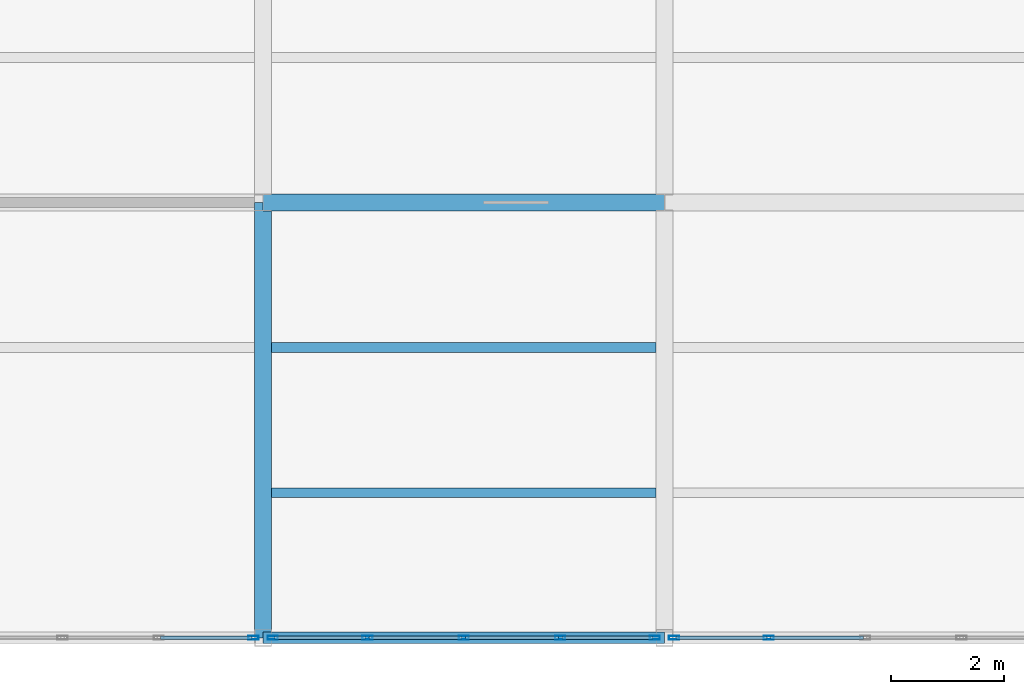
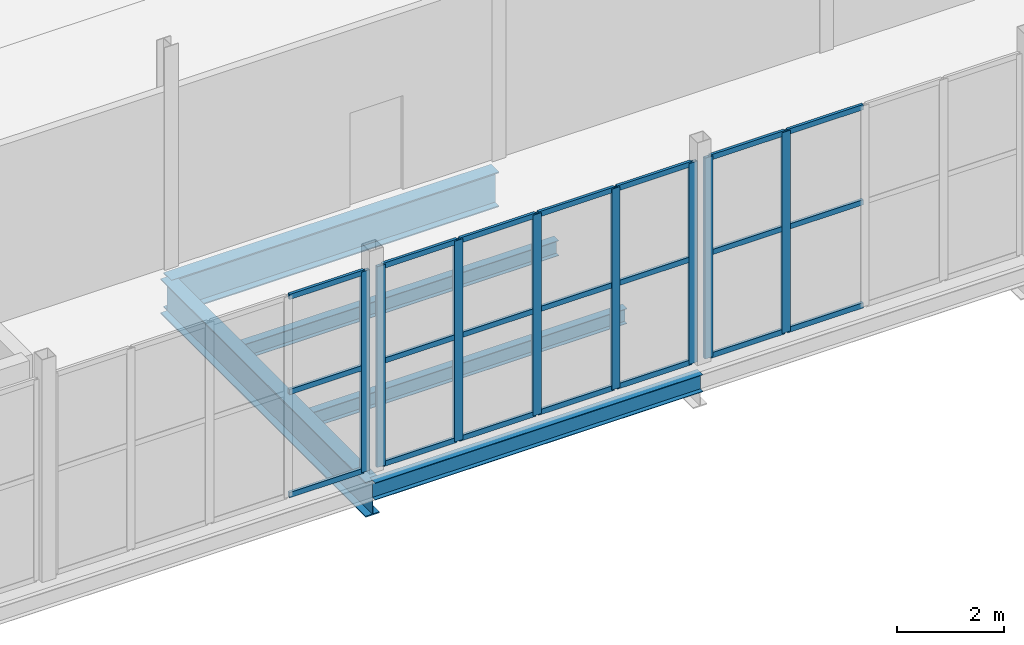
# One storey, part 116 of 218: 29 members, 5 beams, 3 elements without a shape of their own.
"""IFC4 building model written with IfcOpenShell, lengths in metres."""

import ifcopenshell
import ifcopenshell.guid

model = None  # the IFC model being written
_history = None  # IfcOwnerHistory: only IFC2X3 demands one
_inside = {}  # id of a spatial element -> (the spatial element, [elements in it])
_under = {}  # id of a project, library or spatial element -> (it, [spatial elements below it])
_declared = {}  # id of a project -> (the project, [libraries it declares])
_typed = {}  # id of a type object -> (the type object, [elements of that type])
_made_of = {}  # id of a material, layer set ... -> (it, [elements and type objects made of it])


def new_model(schema):
    """Start an empty IFC model of exactly this schema.

    Asked for "IFC4X3", IfcOpenShell would pick the latest addendum, in which some entities
    have other attributes; the version numbers below select the first issue.
    IFC2X3 requires an IfcOwnerHistory on every rooted entity: one is made here for all.
    """
    global model, _history
    if schema == "IFC4X3":
        model = ifcopenshell.file(schema_version=(4, 3, 0, 0))
    else:
        model = ifcopenshell.file(schema=schema)
    _inside.clear()
    _under.clear()
    _declared.clear()
    _typed.clear()
    _made_of.clear()
    _history = None
    if model.schema == "IFC2X3":
        org = make("IfcOrganization", Name="unknown")
        user = make(
            "IfcPersonAndOrganization",
            ThePerson=make("IfcPerson", FamilyName="unknown"),
            TheOrganization=org,
        )
        app = make(
            "IfcApplication",
            ApplicationDeveloper=org,
            Version="unknown",
            ApplicationFullName="unknown",
            ApplicationIdentifier="unknown",
        )
        _history = make(
            "IfcOwnerHistory",
            OwningUser=user,
            OwningApplication=app,
            ChangeAction="ADDED",
            CreationDate=0,
        )
    return model


def make(cls, **values):
    """One entity of the class cls with the attributes given. An attribute that is None is left unset."""
    return model.create_entity(
        cls, **{name: value for name, value in values.items() if value is not None}
    )


def rooted(cls, **values):
    """An entity with a GlobalId (a new one), such as an element, a storey or a relation."""
    return make(cls, GlobalId=ifcopenshell.guid.new(), OwnerHistory=_history, **values)


def si_unit(unit_type, name, prefix=None):
    """IfcSIUnit, for example si_unit("LENGTHUNIT", "METRE", prefix="MILLI")."""
    return make("IfcSIUnit", UnitType=unit_type, Prefix=prefix, Name=name)


def assignment(units):
    """IfcUnitAssignment: the units of a project."""
    return None if units is None else make("IfcUnitAssignment", Units=units)


def point(xyz):
    """IfcCartesianPoint."""
    return None if xyz is None else make("IfcCartesianPoint", Coordinates=xyz)


def direction(xyz):
    """IfcDirection."""
    return None if xyz is None else make("IfcDirection", DirectionRatios=xyz)


def frame(location, z_axis=None, x_axis=None):
    """IfcAxis2Placement3D, a coordinate frame: its origin and axes. An axis left out is left unset."""
    return make(
        "IfcAxis2Placement3D",
        Location=point(location),
        Axis=direction(z_axis),
        RefDirection=direction(x_axis),
    )


def frame_2d(location, x_axis=None):
    """IfcAxis2Placement2D, a coordinate frame in the plane: its origin and x axis."""
    return make(
        "IfcAxis2Placement2D", Location=point(location), RefDirection=direction(x_axis)
    )


def origin():
    """The frame at (0, 0, 0) with its axes left unset."""
    return frame((0.0, 0.0, 0.0))


def origin_2d():
    """The frame at (0, 0) in the plane with its x axis left unset."""
    return frame_2d((0.0, 0.0))


def place(relative_to, where):
    """IfcLocalPlacement: puts the frame where relative to a parent placement (None: the world)."""
    return make(
        "IfcLocalPlacement", PlacementRelTo=relative_to, RelativePlacement=where
    )


def context(
    kind, dimensions, precision=None, world=None, true_north=None, identifier=None
):
    """IfcGeometricRepresentationContext, for example the 3D "Model" context."""
    return make(
        "IfcGeometricRepresentationContext",
        ContextIdentifier=identifier,
        ContextType=kind,
        CoordinateSpaceDimension=dimensions,
        Precision=precision,
        WorldCoordinateSystem=world,
        TrueNorth=true_north,
    )


def subcontext(parent, identifier, kind, view, scale=None):
    """IfcGeometricRepresentationSubContext, for example "Body" below "Model"."""
    return make(
        "IfcGeometricRepresentationSubContext",
        ContextIdentifier=identifier,
        ContextType=kind,
        ParentContext=parent,
        TargetScale=scale,
        TargetView=view,
    )


def project(units=None, contexts=None):
    """IfcProject with its units and contexts."""
    return rooted(
        "IfcProject",
        Name="project",
        RepresentationContexts=contexts,
        UnitsInContext=assignment(units),
    )


def spatial(cls, under=None, at=None, **own):
    """A site, building, storey or space (cls), placed at a placement, below another one or the project."""
    s = rooted(cls, ObjectPlacement=at, **own)
    if under is not None:
        _under.setdefault(under.id(), (under, []))[1].append(s)
    return s


def profile(cls, at=None, kind="AREA", **sizes):
    """A parametric profile (cls). Its sizes go by their IFC names, for example OverallWidth=200.0."""
    return make(cls, ProfileType=kind, Position=at, **sizes)


def hollow_rectangle(**sizes):
    """IfcRectangleHollowProfileDef."""
    return profile("IfcRectangleHollowProfileDef", **sizes)


def i_section(**sizes):
    """IfcIShapeProfileDef."""
    return profile("IfcIShapeProfileDef", **sizes)


def extrude(swept, where, along, depth):
    """IfcExtrudedAreaSolid: the profile swept, set in the frame where, extruded along a direction by depth."""
    return make(
        "IfcExtrudedAreaSolid",
        SweptArea=swept,
        Position=where,
        ExtrudedDirection=direction(along),
        Depth=depth,
    )


def shape(context_of_items, identifier, shape_type, items):
    """IfcShapeRepresentation: the items that make up one representation, for example the "Body"."""
    return make(
        "IfcShapeRepresentation",
        ContextOfItems=context_of_items,
        RepresentationIdentifier=identifier,
        RepresentationType=shape_type,
        Items=items,
    )


def material(Name=None, Category=None):
    """IfcMaterial."""
    return make("IfcMaterial", Name=Name, Category=Category)


def material_profile(
    of_material, cross_section, Name=None, Category=None, Priority=None
):
    """IfcMaterialProfile: a cross section and its material."""
    return make(
        "IfcMaterialProfile",
        Name=Name,
        Material=of_material,
        Profile=cross_section,
        Priority=Priority,
        Category=Category,
    )


def profile_set(profiles, Name=None, composite=None):
    """IfcMaterialProfileSet."""
    return make(
        "IfcMaterialProfileSet",
        Name=Name,
        MaterialProfiles=profiles,
        CompositeProfile=composite,
    )


def made_of(thing, what):
    """Note that an element or type object is made of a material, layer set ...; save() writes the relation."""
    if what is not None:
        _made_of.setdefault(what.id(), (what, []))[1].append(thing)
    return thing


def type_object(cls, material=None, **own):
    """A type object (cls), such as IfcWallType, which elements share."""
    return made_of(rooted(cls, **own), material)


def element(
    cls,
    number,
    at=None,
    inside=None,
    cuts=None,
    type_object=None,
    material=None,
    context=None,
    identifier="Body",
    shape_type=None,
    held_by="IfcProductDefinitionShape",
    body=None,
    shapes=None,
    **own,
):
    """One element of the class cls, such as IfcWall. Its Tag is "e" and its number.

    at: its placement. inside: the storey or other place that contains it. cuts: it is an
    opening in that element (IfcRelVoidsElement). A single representation is given by context,
    identifier, shape_type and body (its items); several are given by shapes. held_by: the class
    of the entity that holds the representations. save() writes the other relations.
    """
    e = rooted(cls, Tag="e%d" % number, ObjectPlacement=at, **own)
    if body is not None:
        shapes = [shape(context, identifier, shape_type, body)]
    if shapes is not None:
        e.Representation = make(held_by, Representations=shapes)
    if inside is not None:
        _inside.setdefault(inside.id(), (inside, []))[1].append(e)
    if cuts is not None:
        rooted(
            "IfcRelVoidsElement", RelatingBuildingElement=cuts, RelatedOpeningElement=e
        )
    if type_object is not None:
        _typed.setdefault(type_object.id(), (type_object, []))[1].append(e)
    return made_of(e, material)


def aggregate(whole, parts):
    """IfcRelAggregates: a whole, such as a stair, and the parts it consists of."""
    return rooted("IfcRelAggregates", RelatingObject=whole, RelatedObjects=parts)


def save(model, path):
    """Write the relations noted so far, then the file.

    IfcRelAggregates (storeys below a building ...), IfcRelContainedInSpatialStructure (elements
    in a storey), IfcRelDefinesByType, IfcRelAssociatesMaterial and IfcRelDeclares: one each for
    every whole, place, type object, material and project.
    """
    for whole, parts in _under.values():
        aggregate(whole, parts)
    for where, things in _inside.values():
        rooted(
            "IfcRelContainedInSpatialStructure",
            RelatedElements=things,
            RelatingStructure=where,
        )
    for kind, things in _typed.values():
        rooted("IfcRelDefinesByType", RelatedObjects=things, RelatingType=kind)
    for what, things in _made_of.values():
        rooted("IfcRelAssociatesMaterial", RelatedObjects=things, RelatingMaterial=what)
    for by, libraries in _declared.values():
        rooted("IfcRelDeclares", RelatingContext=by, RelatedDefinitions=libraries)
    model.write(path)


model = new_model("IFC4")

# Units and contexts
model_context = context("Model", 3, precision=1e-05, world=origin(), true_north=direction((0.0, 1.0)))
body_context = subcontext(model_context, "Body", "Model", "MODEL_VIEW")
ifc_project = project(units=[si_unit("LENGTHUNIT", "METRE"), si_unit("AREAUNIT", "SQUARE_METRE"), si_unit("VOLUMEUNIT", "CUBIC_METRE"), si_unit("PLANEANGLEUNIT", "RADIAN"), si_unit("MASSUNIT", "GRAM", prefix="KILO")], contexts=[model_context])

# Site, building, storey
site_placement = place(None, origin())
site = spatial("IfcSite", under=ifc_project, at=site_placement, CompositionType="ELEMENT")
building_placement = place(site_placement, origin())
building = spatial("IfcBuilding", under=site, at=building_placement, Name="Kazenagashi Tramway Depot", CompositionType="ELEMENT")
storey_placement = place(building_placement, frame((0.0, 0.0, 6.0)))
storey = spatial("IfcBuildingStorey", under=building, at=storey_placement, Name="L02", CompositionType="ELEMENT", Elevation=6.0)

# Beams
ifc_material_1 = material(Name="Steel SN490B", Category="steel")
ifc_material_profile_1 = material_profile(ifc_material_1, i_section(OverallWidth=0.3, OverallDepth=0.8, WebThickness=0.014, FlangeThickness=0.026, at=origin_2d()), Name="H-800x300x14x26")
ifc_profile_set_1 = profile_set([ifc_material_profile_1], Name="Steel SN490B")
beam_type_1 = type_object("IfcBeamType", Name="G-07", PredefinedType="BEAM", material=ifc_profile_set_1)
beam_1_placement = place(storey_placement, frame((160.5, 7.7, -0.68), z_axis=(1.0, 0.0, 0.0), x_axis=(0.0, 1.0, 0.0)))
element("IfcBeam", 1, at=beam_1_placement, inside=storey, type_object=beam_type_1, Name="Beam G-07 BM-1191", PredefinedType="BEAM", context=body_context, shape_type="SweptSolid", body=[
    extrude(i_section(OverallWidth=0.3, OverallDepth=0.8, WebThickness=0.014, FlangeThickness=0.026, at=origin_2d()), origin(), (0.0, 0.0, 1.0), 7.1),
])
beam_2_placement = place(storey_placement, frame((160.5, 0.0, -0.68), z_axis=(0.0, 1.0, 0.0), x_axis=(-1.0, 0.0, 0.0)))
element("IfcBeam", 2, at=beam_2_placement, inside=storey, type_object=beam_type_1, Name="Beam G-07 BM-1256", PredefinedType="BEAM", context=body_context, shape_type="SweptSolid", body=[
    extrude(i_section(OverallWidth=0.3, OverallDepth=0.8, WebThickness=0.014, FlangeThickness=0.026, at=origin_2d()), origin(), (0.0, 0.0, 1.0), 7.7),
])
ifc_material_2 = material(Name="Steel SN400B", Category="steel")
ifc_material_profile_2 = material_profile(ifc_material_2, i_section(OverallWidth=0.175, OverallDepth=0.35, WebThickness=0.007, FlangeThickness=0.011, at=origin_2d()), Name="H-350x175x7x11")
ifc_profile_set_2 = profile_set([ifc_material_profile_2], Name="Steel SN400B")
beam_type_2 = type_object("IfcBeamType", Name="J-01", PredefinedType="JOIST", material=ifc_profile_set_2)
for number, where, z_axis, x_axis, name in (
    (3, (160.65, 2.567, -0.455), (1.0, 0.0, 0.0), (0.0, 1.0, 0.0), "Beam J-01 BM-1257"),
    (4, (160.65, 5.133, -0.455), (1.0, 0.0, 0.0), (0.0, 1.0, 0.0), "Beam J-01 BM-1258"),
):
    element("IfcBeam", number, at=place(storey_placement, frame(where, z_axis=z_axis, x_axis=x_axis)), inside=storey, type_object=beam_type_2, Name=name, PredefinedType="JOIST", context=body_context, shape_type="SweptSolid", body=[
        extrude(i_section(OverallWidth=0.175, OverallDepth=0.35, WebThickness=0.007, FlangeThickness=0.011, at=origin_2d()), origin(), (0.0, 0.0, 1.0), 6.8),
    ])

# Curtain wall, member
ifc_material_3 = material(Name="Anodised Aluminium and Low-E Glazing", Category="aluminium")
curtain_wall_type = type_object("IfcCurtainWallType", Name="CW-22", PredefinedType="USERDEFINED", material=ifc_material_3)
curtain_wall_1_placement = place(storey_placement, origin())
curtain_wall_1 = element("IfcCurtainWall", 5, at=curtain_wall_1_placement, inside=storey, type_object=curtain_wall_type, Name="Industrial Glazed Screen CW-22 CW-0120", ObjectType="GLAZED SCREEN", PredefinedType="USERDEFINED")
ifc_material_4 = material(Name="Anodised Aluminium", Category="aluminium")
ifc_material_profile_3 = material_profile(ifc_material_4, hollow_rectangle(XDim=0.07, YDim=0.18, WallThickness=0.005, at=origin_2d()), Name="RHS-180x70x5")
ifc_profile_set_3 = profile_set([ifc_material_profile_3], Name="Anodised Aluminium")
member_type_1 = type_object("IfcMemberType", Name="ML-02", PredefinedType="MULLION", material=ifc_profile_set_3)
member_1_placement = place(storey_placement, frame((160.33, 0.0, 0.0), z_axis=(0.0, 0.0, 1.0), x_axis=(0.0, 1.0, 0.0)))
member_1 = element("IfcMember", 6, at=member_1_placement, type_object=member_type_1, Name="CW-22 mullion 5", PredefinedType="MULLION", context=body_context, shape_type="SweptSolid", body=[
    extrude(hollow_rectangle(XDim=0.07, YDim=0.18, WallThickness=0.005, at=origin_2d()), origin(), (0.0, 0.0, 1.0), 4.6),
])

# Curtain wall, members
curtain_wall_2_placement = place(storey_placement, origin())
curtain_wall_2 = element("IfcCurtainWall", 7, at=curtain_wall_2_placement, inside=storey, type_object=curtain_wall_type, Name="Industrial Glazed Screen CW-22 CW-0121", ObjectType="GLAZED SCREEN", PredefinedType="USERDEFINED")
member_2_placement = place(storey_placement, frame((160.67, 0.0, 0.0), z_axis=(0.0, 0.0, 1.0), x_axis=(0.0, 1.0, 0.0)))
member_2 = element("IfcMember", 8, at=member_2_placement, type_object=member_type_1, Name="CW-22 mullion 1", PredefinedType="MULLION", context=body_context, shape_type="SweptSolid", body=[
    extrude(hollow_rectangle(XDim=0.07, YDim=0.18, WallThickness=0.005, at=origin_2d()), origin(), (0.0, 0.0, 1.0), 4.6),
])
member_3_placement = place(storey_placement, frame((162.345, 0.0, 0.0), z_axis=(0.0, 0.0, 1.0), x_axis=(0.0, 1.0, 0.0)))
member_3 = element("IfcMember", 9, at=member_3_placement, type_object=member_type_1, Name="CW-22 mullion 2", PredefinedType="MULLION", context=body_context, shape_type="SweptSolid", body=[
    extrude(hollow_rectangle(XDim=0.07, YDim=0.18, WallThickness=0.005, at=origin_2d()), origin(), (0.0, 0.0, 1.0), 4.6),
])
member_4_placement = place(storey_placement, frame((164.05, 0.0, 0.0), z_axis=(0.0, 0.0, 1.0), x_axis=(0.0, 1.0, 0.0)))
member_4 = element("IfcMember", 10, at=member_4_placement, type_object=member_type_1, Name="CW-22 mullion 3", PredefinedType="MULLION", context=body_context, shape_type="SweptSolid", body=[
    extrude(hollow_rectangle(XDim=0.07, YDim=0.18, WallThickness=0.005, at=origin_2d()), origin(), (0.0, 0.0, 1.0), 4.6),
])
member_5_placement = place(storey_placement, frame((165.755, 0.0, 0.0), z_axis=(0.0, 0.0, 1.0), x_axis=(0.0, 1.0, 0.0)))
member_5 = element("IfcMember", 11, at=member_5_placement, type_object=member_type_1, Name="CW-22 mullion 4", PredefinedType="MULLION", context=body_context, shape_type="SweptSolid", body=[
    extrude(hollow_rectangle(XDim=0.07, YDim=0.18, WallThickness=0.005, at=origin_2d()), origin(), (0.0, 0.0, 1.0), 4.6),
])
member_6_placement = place(storey_placement, frame((167.43, 0.0, 0.0), z_axis=(0.0, 0.0, 1.0), x_axis=(0.0, 1.0, 0.0)))
member_6 = element("IfcMember", 12, at=member_6_placement, type_object=member_type_1, Name="CW-22 mullion 5", PredefinedType="MULLION", context=body_context, shape_type="SweptSolid", body=[
    extrude(hollow_rectangle(XDim=0.07, YDim=0.18, WallThickness=0.005, at=origin_2d()), origin(), (0.0, 0.0, 1.0), 4.6),
])

curtain_wall_3_placement = place(storey_placement, origin())
curtain_wall_3 = element("IfcCurtainWall", 13, at=curtain_wall_3_placement, inside=storey, type_object=curtain_wall_type, Name="Industrial Glazed Screen CW-22 CW-0122", ObjectType="GLAZED SCREEN", PredefinedType="USERDEFINED")
member_7_placement = place(storey_placement, frame((167.77, 0.0, 0.0), z_axis=(0.0, 0.0, 1.0), x_axis=(0.0, 1.0, 0.0)))
member_7 = element("IfcMember", 14, at=member_7_placement, type_object=member_type_1, Name="CW-22 mullion 1", PredefinedType="MULLION", context=body_context, shape_type="SweptSolid", body=[
    extrude(hollow_rectangle(XDim=0.07, YDim=0.18, WallThickness=0.005, at=origin_2d()), origin(), (0.0, 0.0, 1.0), 4.6),
])
member_8_placement = place(storey_placement, frame((169.445, 0.0, 0.0), z_axis=(0.0, 0.0, 1.0), x_axis=(0.0, 1.0, 0.0)))
member_8 = element("IfcMember", 15, at=member_8_placement, type_object=member_type_1, Name="CW-22 mullion 2", PredefinedType="MULLION", context=body_context, shape_type="SweptSolid", body=[
    extrude(hollow_rectangle(XDim=0.07, YDim=0.18, WallThickness=0.005, at=origin_2d()), origin(), (0.0, 0.0, 1.0), 4.6),
])

# Beam
ifc_material_profile_4 = material_profile(ifc_material_1, i_section(OverallWidth=0.2, OverallDepth=0.4, WebThickness=0.008, FlangeThickness=0.013, at=origin_2d()), Name="H-400x200x8x13")
ifc_profile_set_4 = profile_set([ifc_material_profile_4], Name="Steel SN490B")
beam_type_3 = type_object("IfcBeamType", Name="SP-04", PredefinedType="SPANDREL", material=ifc_profile_set_4)
beam_3_placement = place(storey_placement, frame((160.5, 0.0, -0.48), z_axis=(1.0, 0.0, 0.0), x_axis=(0.0, 1.0, 0.0)))
element("IfcBeam", 16, at=beam_3_placement, inside=storey, type_object=beam_type_3, Name="Beam SP-04 BM-1186", PredefinedType="SPANDREL", context=body_context, shape_type="SweptSolid", body=[
    extrude(i_section(OverallWidth=0.2, OverallDepth=0.4, WebThickness=0.008, FlangeThickness=0.013, at=origin_2d()), origin(), (0.0, 0.0, 1.0), 7.1),
])

# Member
ifc_material_profile_5 = material_profile(ifc_material_4, hollow_rectangle(XDim=0.06, YDim=0.12, WallThickness=0.004, at=origin_2d()), Name="RHS-120x60x4")
ifc_profile_set_5 = profile_set([ifc_material_profile_5], Name="Anodised Aluminium")
member_type_2 = type_object("IfcMemberType", Name="TR-01", PredefinedType="USERDEFINED", material=ifc_profile_set_5)
member_9_placement = place(storey_placement, frame((158.685, 0.0, 0.03), z_axis=(1.0, 0.0, 0.0), x_axis=(0.0, 1.0, 0.0)))
member_9 = element("IfcMember", 17, at=member_9_placement, type_object=member_type_2, Name="CW-22 transom 4.1", ObjectType="TRANSOM", PredefinedType="USERDEFINED", context=body_context, shape_type="SweptSolid", body=[
    extrude(hollow_rectangle(XDim=0.06, YDim=0.12, WallThickness=0.004, at=origin_2d()), origin(), (0.0, 0.0, 1.0), 1.615),
])

member_10_placement = place(storey_placement, frame((158.685, 0.0, 2.392), z_axis=(1.0, 0.0, 0.0), x_axis=(0.0, 1.0, 0.0)))
member_10 = element("IfcMember", 18, at=member_10_placement, type_object=member_type_2, Name="CW-22 transom 4.2", ObjectType="TRANSOM", PredefinedType="USERDEFINED", context=body_context, shape_type="SweptSolid", body=[
    extrude(hollow_rectangle(XDim=0.06, YDim=0.12, WallThickness=0.004, at=origin_2d()), origin(), (0.0, 0.0, 1.0), 1.615),
])

member_11_placement = place(storey_placement, frame((158.685, 0.0, 4.57), z_axis=(1.0, 0.0, 0.0), x_axis=(0.0, 1.0, 0.0)))
member_11 = element("IfcMember", 19, at=member_11_placement, type_object=member_type_2, Name="CW-22 transom 4.3", ObjectType="TRANSOM", PredefinedType="USERDEFINED", context=body_context, shape_type="SweptSolid", body=[
    extrude(hollow_rectangle(XDim=0.06, YDim=0.12, WallThickness=0.004, at=origin_2d()), origin(), (0.0, 0.0, 1.0), 1.615),
])

aggregate(curtain_wall_1, [member_1, member_9, member_10, member_11])

member_12_placement = place(storey_placement, frame((160.7, 0.0, 0.03), z_axis=(1.0, 0.0, 0.0), x_axis=(0.0, 1.0, 0.0)))
member_12 = element("IfcMember", 20, at=member_12_placement, type_object=member_type_2, Name="CW-22 transom 1.1", ObjectType="TRANSOM", PredefinedType="USERDEFINED", context=body_context, shape_type="SweptSolid", body=[
    extrude(hollow_rectangle(XDim=0.06, YDim=0.12, WallThickness=0.004, at=origin_2d()), origin(), (0.0, 0.0, 1.0), 1.615),
])

member_13_placement = place(storey_placement, frame((160.7, 0.0, 2.392), z_axis=(1.0, 0.0, 0.0), x_axis=(0.0, 1.0, 0.0)))
member_13 = element("IfcMember", 21, at=member_13_placement, type_object=member_type_2, Name="CW-22 transom 1.2", ObjectType="TRANSOM", PredefinedType="USERDEFINED", context=body_context, shape_type="SweptSolid", body=[
    extrude(hollow_rectangle(XDim=0.06, YDim=0.12, WallThickness=0.004, at=origin_2d()), origin(), (0.0, 0.0, 1.0), 1.615),
])

member_14_placement = place(storey_placement, frame((160.7, 0.0, 4.57), z_axis=(1.0, 0.0, 0.0), x_axis=(0.0, 1.0, 0.0)))
member_14 = element("IfcMember", 22, at=member_14_placement, type_object=member_type_2, Name="CW-22 transom 1.3", ObjectType="TRANSOM", PredefinedType="USERDEFINED", context=body_context, shape_type="SweptSolid", body=[
    extrude(hollow_rectangle(XDim=0.06, YDim=0.12, WallThickness=0.004, at=origin_2d()), origin(), (0.0, 0.0, 1.0), 1.615),
])

member_15_placement = place(storey_placement, frame((162.375, 0.0, 0.03), z_axis=(1.0, 0.0, 0.0), x_axis=(0.0, 1.0, 0.0)))
member_15 = element("IfcMember", 23, at=member_15_placement, type_object=member_type_2, Name="CW-22 transom 2.1", ObjectType="TRANSOM", PredefinedType="USERDEFINED", context=body_context, shape_type="SweptSolid", body=[
    extrude(hollow_rectangle(XDim=0.06, YDim=0.12, WallThickness=0.004, at=origin_2d()), origin(), (0.0, 0.0, 1.0), 1.645),
])

member_16_placement = place(storey_placement, frame((162.375, 0.0, 2.392), z_axis=(1.0, 0.0, 0.0), x_axis=(0.0, 1.0, 0.0)))
member_16 = element("IfcMember", 24, at=member_16_placement, type_object=member_type_2, Name="CW-22 transom 2.2", ObjectType="TRANSOM", PredefinedType="USERDEFINED", context=body_context, shape_type="SweptSolid", body=[
    extrude(hollow_rectangle(XDim=0.06, YDim=0.12, WallThickness=0.004, at=origin_2d()), origin(), (0.0, 0.0, 1.0), 1.645),
])

member_17_placement = place(storey_placement, frame((162.375, 0.0, 4.57), z_axis=(1.0, 0.0, 0.0), x_axis=(0.0, 1.0, 0.0)))
member_17 = element("IfcMember", 25, at=member_17_placement, type_object=member_type_2, Name="CW-22 transom 2.3", ObjectType="TRANSOM", PredefinedType="USERDEFINED", context=body_context, shape_type="SweptSolid", body=[
    extrude(hollow_rectangle(XDim=0.06, YDim=0.12, WallThickness=0.004, at=origin_2d()), origin(), (0.0, 0.0, 1.0), 1.645),
])

member_18_placement = place(storey_placement, frame((164.08, 0.0, 0.03), z_axis=(1.0, 0.0, 0.0), x_axis=(0.0, 1.0, 0.0)))
member_18 = element("IfcMember", 26, at=member_18_placement, type_object=member_type_2, Name="CW-22 transom 3.1", ObjectType="TRANSOM", PredefinedType="USERDEFINED", context=body_context, shape_type="SweptSolid", body=[
    extrude(hollow_rectangle(XDim=0.06, YDim=0.12, WallThickness=0.004, at=origin_2d()), origin(), (0.0, 0.0, 1.0), 1.645),
])

member_19_placement = place(storey_placement, frame((164.08, 0.0, 2.392), z_axis=(1.0, 0.0, 0.0), x_axis=(0.0, 1.0, 0.0)))
member_19 = element("IfcMember", 27, at=member_19_placement, type_object=member_type_2, Name="CW-22 transom 3.2", ObjectType="TRANSOM", PredefinedType="USERDEFINED", context=body_context, shape_type="SweptSolid", body=[
    extrude(hollow_rectangle(XDim=0.06, YDim=0.12, WallThickness=0.004, at=origin_2d()), origin(), (0.0, 0.0, 1.0), 1.645),
])

member_20_placement = place(storey_placement, frame((164.08, 0.0, 4.57), z_axis=(1.0, 0.0, 0.0), x_axis=(0.0, 1.0, 0.0)))
member_20 = element("IfcMember", 28, at=member_20_placement, type_object=member_type_2, Name="CW-22 transom 3.3", ObjectType="TRANSOM", PredefinedType="USERDEFINED", context=body_context, shape_type="SweptSolid", body=[
    extrude(hollow_rectangle(XDim=0.06, YDim=0.12, WallThickness=0.004, at=origin_2d()), origin(), (0.0, 0.0, 1.0), 1.645),
])

member_21_placement = place(storey_placement, frame((165.785, 0.0, 0.03), z_axis=(1.0, 0.0, 0.0), x_axis=(0.0, 1.0, 0.0)))
member_21 = element("IfcMember", 29, at=member_21_placement, type_object=member_type_2, Name="CW-22 transom 4.1", ObjectType="TRANSOM", PredefinedType="USERDEFINED", context=body_context, shape_type="SweptSolid", body=[
    extrude(hollow_rectangle(XDim=0.06, YDim=0.12, WallThickness=0.004, at=origin_2d()), origin(), (0.0, 0.0, 1.0), 1.615),
])

member_22_placement = place(storey_placement, frame((165.785, 0.0, 2.392), z_axis=(1.0, 0.0, 0.0), x_axis=(0.0, 1.0, 0.0)))
member_22 = element("IfcMember", 30, at=member_22_placement, type_object=member_type_2, Name="CW-22 transom 4.2", ObjectType="TRANSOM", PredefinedType="USERDEFINED", context=body_context, shape_type="SweptSolid", body=[
    extrude(hollow_rectangle(XDim=0.06, YDim=0.12, WallThickness=0.004, at=origin_2d()), origin(), (0.0, 0.0, 1.0), 1.615),
])

member_23_placement = place(storey_placement, frame((165.785, 0.0, 4.57), z_axis=(1.0, 0.0, 0.0), x_axis=(0.0, 1.0, 0.0)))
member_23 = element("IfcMember", 31, at=member_23_placement, type_object=member_type_2, Name="CW-22 transom 4.3", ObjectType="TRANSOM", PredefinedType="USERDEFINED", context=body_context, shape_type="SweptSolid", body=[
    extrude(hollow_rectangle(XDim=0.06, YDim=0.12, WallThickness=0.004, at=origin_2d()), origin(), (0.0, 0.0, 1.0), 1.615),
])

aggregate(curtain_wall_2, [member_2, member_3, member_4, member_5, member_6, member_12, member_13, member_14, member_15, member_16, member_17, member_18, member_19, member_20, member_21, member_22, member_23])

member_24_placement = place(storey_placement, frame((167.8, 0.0, 0.03), z_axis=(1.0, 0.0, 0.0), x_axis=(0.0, 1.0, 0.0)))
member_24 = element("IfcMember", 32, at=member_24_placement, type_object=member_type_2, Name="CW-22 transom 1.1", ObjectType="TRANSOM", PredefinedType="USERDEFINED", context=body_context, shape_type="SweptSolid", body=[
    extrude(hollow_rectangle(XDim=0.06, YDim=0.12, WallThickness=0.004, at=origin_2d()), origin(), (0.0, 0.0, 1.0), 1.615),
])

member_25_placement = place(storey_placement, frame((167.8, 0.0, 2.392), z_axis=(1.0, 0.0, 0.0), x_axis=(0.0, 1.0, 0.0)))
member_25 = element("IfcMember", 33, at=member_25_placement, type_object=member_type_2, Name="CW-22 transom 1.2", ObjectType="TRANSOM", PredefinedType="USERDEFINED", context=body_context, shape_type="SweptSolid", body=[
    extrude(hollow_rectangle(XDim=0.06, YDim=0.12, WallThickness=0.004, at=origin_2d()), origin(), (0.0, 0.0, 1.0), 1.615),
])

member_26_placement = place(storey_placement, frame((167.8, 0.0, 4.57), z_axis=(1.0, 0.0, 0.0), x_axis=(0.0, 1.0, 0.0)))
member_26 = element("IfcMember", 34, at=member_26_placement, type_object=member_type_2, Name="CW-22 transom 1.3", ObjectType="TRANSOM", PredefinedType="USERDEFINED", context=body_context, shape_type="SweptSolid", body=[
    extrude(hollow_rectangle(XDim=0.06, YDim=0.12, WallThickness=0.004, at=origin_2d()), origin(), (0.0, 0.0, 1.0), 1.615),
])

member_27_placement = place(storey_placement, frame((169.475, 0.0, 0.03), z_axis=(1.0, 0.0, 0.0), x_axis=(0.0, 1.0, 0.0)))
member_27 = element("IfcMember", 35, at=member_27_placement, type_object=member_type_2, Name="CW-22 transom 2.1", ObjectType="TRANSOM", PredefinedType="USERDEFINED", context=body_context, shape_type="SweptSolid", body=[
    extrude(hollow_rectangle(XDim=0.06, YDim=0.12, WallThickness=0.004, at=origin_2d()), origin(), (0.0, 0.0, 1.0), 1.645),
])

member_28_placement = place(storey_placement, frame((169.475, 0.0, 2.392), z_axis=(1.0, 0.0, 0.0), x_axis=(0.0, 1.0, 0.0)))
member_28 = element("IfcMember", 36, at=member_28_placement, type_object=member_type_2, Name="CW-22 transom 2.2", ObjectType="TRANSOM", PredefinedType="USERDEFINED", context=body_context, shape_type="SweptSolid", body=[
    extrude(hollow_rectangle(XDim=0.06, YDim=0.12, WallThickness=0.004, at=origin_2d()), origin(), (0.0, 0.0, 1.0), 1.645),
])

member_29_placement = place(storey_placement, frame((169.475, 0.0, 4.57), z_axis=(1.0, 0.0, 0.0), x_axis=(0.0, 1.0, 0.0)))
member_29 = element("IfcMember", 37, at=member_29_placement, type_object=member_type_2, Name="CW-22 transom 2.3", ObjectType="TRANSOM", PredefinedType="USERDEFINED", context=body_context, shape_type="SweptSolid", body=[
    extrude(hollow_rectangle(XDim=0.06, YDim=0.12, WallThickness=0.004, at=origin_2d()), origin(), (0.0, 0.0, 1.0), 1.645),
])

aggregate(curtain_wall_3, [member_7, member_8, member_24, member_25, member_26, member_27, member_28, member_29])

save(model, "model.ifc")
